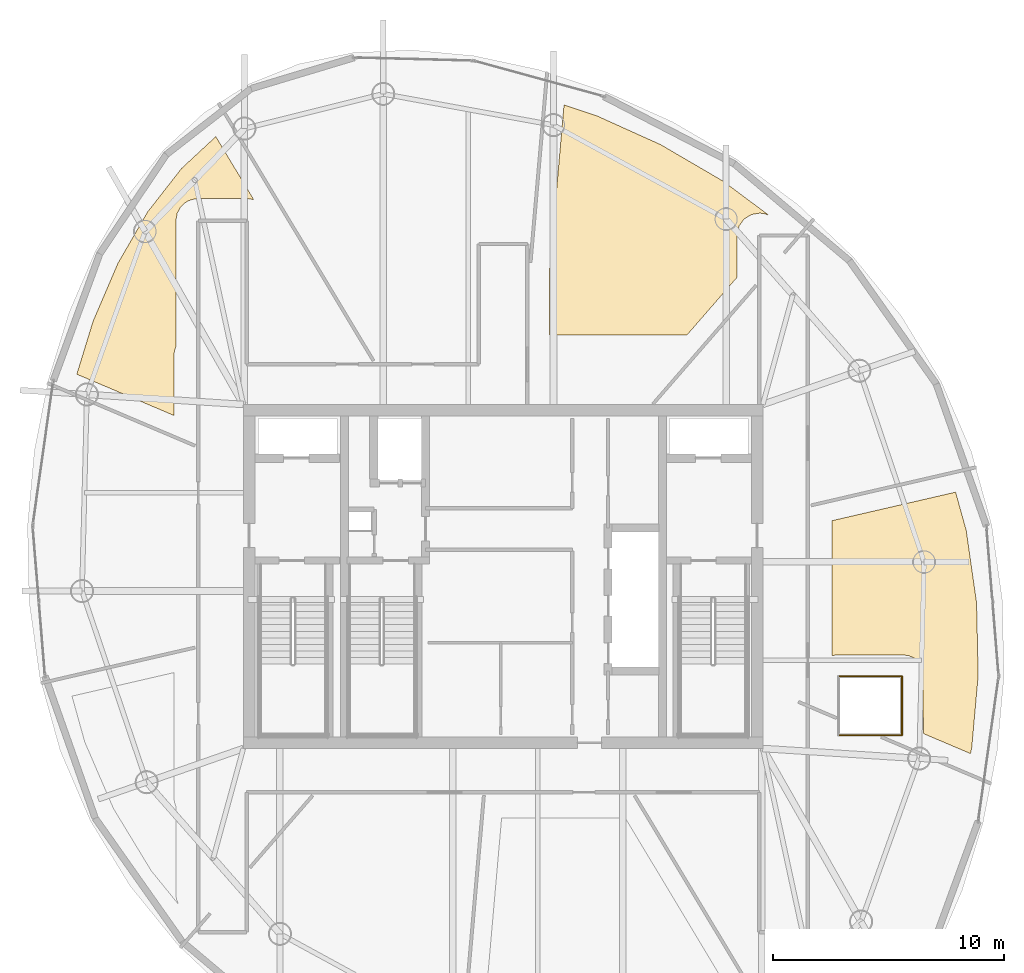
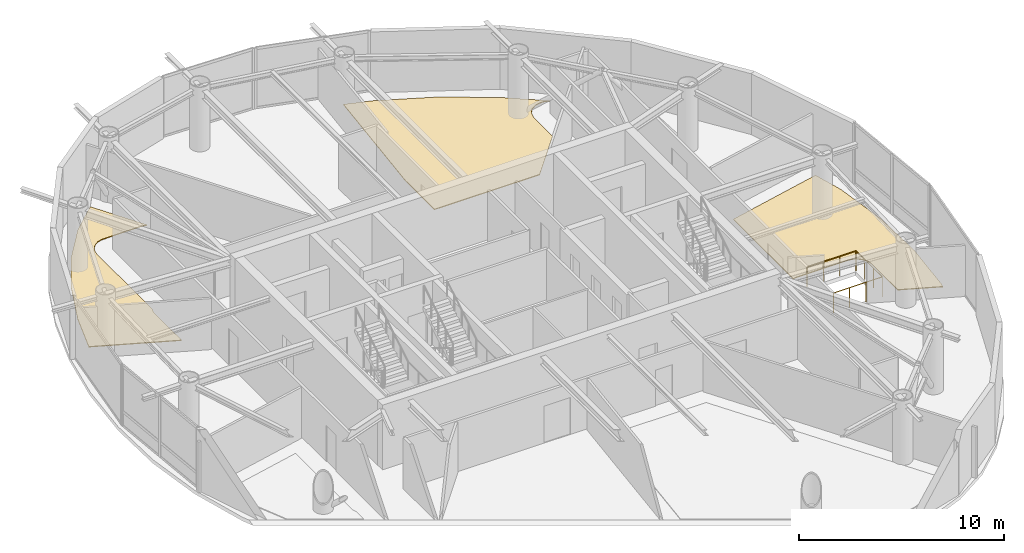
# One storey, part 20 of 20: 3 coverings, 3 railings.
"""IFC4 building model written with IfcOpenShell, lengths in metres."""

from ifc_helpers import new_model, si_unit, direction, frame, origin, origin_2d, place, context, subcontext, project, spatial, polyline, circle, outline, extrude, material, layer, layer_set, type_object, element, save


model = new_model("IFC4")

# Units and contexts
model_context = context("Model", 3, precision=1e-05, world=origin(), true_north=direction((0.0, 1.0)))
body_context = subcontext(model_context, "Body", "Model", "MODEL_VIEW")
ifc_project = project(units=[si_unit("LENGTHUNIT", "METRE"), si_unit("AREAUNIT", "SQUARE_METRE"), si_unit("VOLUMEUNIT", "CUBIC_METRE"), si_unit("PLANEANGLEUNIT", "RADIAN"), si_unit("MASSUNIT", "GRAM", prefix="KILO")], contexts=[model_context])

# Site, building, storey
site_placement = place(None, origin())
site = spatial("IfcSite", under=ifc_project, at=site_placement, CompositionType="ELEMENT")
building_placement = place(site_placement, origin())
building = spatial("IfcBuilding", under=site, at=building_placement, Name="Bramvorn Convention Spire", CompositionType="ELEMENT")
storey_placement = place(building_placement, frame((0.0, 0.0, 284.39990234375)))
storey = spatial("IfcBuildingStorey", under=building, at=storey_placement, Name="L72", CompositionType="ELEMENT", Elevation=284.39990234375)

# Coverings
ifc_material_1 = material(Name="Calcium-Sulphate Raised Access Office Floor", Category="steel")
ifc_layer = layer(ifc_material_1, 0.044921875)
ifc_layer_set = layer_set([ifc_layer], Name="Calcium-Sulphate Raised Access Office Floor - FLR-RAISED-45")
covering_type = type_object("IfcCoveringType", Name="FLR-RAISED-45", PredefinedType="FLOORING", material=ifc_layer_set)
covering_1_placement = place(storey_placement, origin())
element("IfcCovering", 1, at=covering_1_placement, inside=storey, type_object=covering_type, Name="L72 Design Office Studio B 2 raised floor finish", PredefinedType="FLOORING", context=body_context, shape_type="SweptSolid", body=[
    extrude(outline(polyline([(42.05322265625, 45.954345703125), (40.64013671875, 46.423583984375), (40.02001953125, 39.3359375), (40.02001953125, 36.449951171875), (45.957763671875, 36.449951171875), (48.1298828125, 38.94873046875), (48.131103515625, 40.80908203125), (48.221923828125, 41.179931640625), (48.4404296875, 41.479248046875), (48.755126953125, 41.6748046875), (49.120361328125, 41.73779296875), (49.305419921875, 41.716064453125), (49.513916015625, 41.644287109375), (47.52001953125, 43.12841796875), (44.82568359375, 44.703125), (42.05322265625, 45.954345703125)])), origin(), (0.0, 0.0, 1.0), 0.045166015625),
])
covering_2_placement = place(storey_placement, origin())
element("IfcCovering", 2, at=covering_2_placement, inside=storey, type_object=covering_type, Name="L72 Client Meeting Pin-Up Room 2 4 raised floor finish", PredefinedType="FLOORING", context=body_context, shape_type="SweptSolid", body=[
    extrude(outline(polyline([(23.75, 32.97216796875), (23.75, 35.60009765625), (23.766357421875, 35.765869140625), (23.830078125, 35.95751953125), (23.830078125, 41.39990234375), (23.888916015625, 41.732421875), (24.017578125, 41.972900390625), (24.217529296875, 42.175537109375), (24.390625, 42.279296875), (24.65185546875, 42.3583984375), (26.89990234375, 42.3701171875), (27.20166015625, 42.321044921875), (25.56103515625, 45.051513671875), (24.075439453125, 43.671630859375), (22.6123046875, 41.7958984375), (21.32666015625, 39.5751953125), (20.2412109375, 37.04443359375), (19.541015625, 34.7587890625), (23.75, 32.97216796875)])), origin(), (0.0, 0.0, 1.0), 0.045166015625),
])
covering_3_placement = place(storey_placement, origin())
element("IfcCovering", 3, at=covering_3_placement, inside=storey, type_object=covering_type, Name="L72 Design Office Studio B 10 raised floor finish", PredefinedType="FLOORING", context=body_context, shape_type="SweptSolid", body=[
    extrude(outline(polyline([(52.449951171875, 22.60009765625), (55.35009765625, 22.60009765625), (55.5966796875, 22.5634765625), (55.822265625, 22.456787109375), (56.056640625, 22.22216796875), (56.163330078125, 21.99658203125), (56.19580078125, 21.833251953125), (56.199951171875, 19.197998046875), (58.24755859375, 18.328857421875), (58.300048828125, 18.5966796875), (58.577392578125, 21.705078125), (58.508056640625, 24.862548828125), (58.060546875, 27.9951171875), (57.60009765625, 29.652587890625), (52.25, 28.41748046875), (52.25, 22.5751953125), (52.449951171875, 22.60009765625)])), origin(), (0.0, 0.0, 1.0), 0.045166015625),
])

# Railings
ifc_material_2 = material(Name="Warm Bronze Perforated Metal & Glass Balustrade", Category="glass")
railing_type = type_object("IfcRailingType", Name="RL-POD-BALUSTRADE-1200", PredefinedType="BALUSTRADE", material=ifc_material_2)
railing_1_placement = place(storey_placement, frame((52.52001953125, 19.1201171875, 0.0)))
element("IfcRailing", 4, at=railing_1_placement, inside=storey, type_object=railing_type, Name="L72 Feature atrium void balustrade 1", PredefinedType="BALUSTRADE", context=body_context, shape_type="SweptSolid", body=[
    extrude(circle(Radius=0.02392578125, at=origin_2d()), frame((0.0, 0.0, 1.17578125), z_axis=(1.0, 0.0, 0.0), x_axis=(0.0, 1.0, 0.0)), (0.0, 0.0, 1.0), 2.760009765625),
    extrude(circle(Radius=0.02099609375, at=origin_2d()), origin(), (0.0, 0.0, 1.0), 1.15185546875),
    extrude(circle(Radius=0.02099609375, at=origin_2d()), frame((0.919921875, 0.0, 0.0)), (0.0, 0.0, 1.0), 1.15185546875),
    extrude(circle(Radius=0.02099609375, at=origin_2d()), frame((1.840087890625, 0.0, 0.0)), (0.0, 0.0, 1.0), 1.15185546875),
    extrude(circle(Radius=0.02099609375, at=origin_2d()), frame((2.760009765625, 0.0, 0.0)), (0.0, 0.0, 1.0), 1.15185546875),
])
railing_2_placement = place(storey_placement, frame((55.280029296875, 19.1201171875, 0.0)))
element("IfcRailing", 5, at=railing_2_placement, inside=storey, type_object=railing_type, Name="L72 Feature atrium void balustrade 2", PredefinedType="BALUSTRADE", context=body_context, shape_type="SweptSolid", body=[
    extrude(circle(Radius=0.02392578125, at=origin_2d()), frame((0.0, 0.0, 1.17578125), z_axis=(0.0, 1.0, 0.0), x_axis=(-1.0, 0.0, 0.0)), (0.0, 0.0, 1.0), 2.559814453125),
    extrude(circle(Radius=0.02099609375, at=origin_2d()), origin(), (0.0, 0.0, 1.0), 1.15185546875),
    extrude(circle(Radius=0.02099609375, at=origin_2d()), frame((0.0, 0.853271484375, 0.0)), (0.0, 0.0, 1.0), 1.15185546875),
    extrude(circle(Radius=0.02099609375, at=origin_2d()), frame((0.0, 1.70654296875, 0.0)), (0.0, 0.0, 1.0), 1.15185546875),
    extrude(circle(Radius=0.02099609375, at=origin_2d()), frame((0.0, 2.559814453125, 0.0)), (0.0, 0.0, 1.0), 1.15185546875),
])
railing_3_placement = place(storey_placement, frame((55.280029296875, 21.679931640625, 0.0)))
element("IfcRailing", 6, at=railing_3_placement, inside=storey, type_object=railing_type, Name="L72 Feature atrium void balustrade 3", PredefinedType="BALUSTRADE", context=body_context, shape_type="SweptSolid", body=[
    extrude(circle(Radius=0.02392578125, at=origin_2d()), frame((0.0, 0.0, 1.17578125), z_axis=(-1.0, 0.0, 0.0), x_axis=(0.0, -1.0, 0.0)), (0.0, 0.0, 1.0), 2.760009765625),
    extrude(circle(Radius=0.02099609375, at=origin_2d()), origin(), (0.0, 0.0, 1.0), 1.15185546875),
    extrude(circle(Radius=0.02099609375, at=origin_2d()), frame((-0.919921875, 0.0, 0.0)), (0.0, 0.0, 1.0), 1.15185546875),
    extrude(circle(Radius=0.02099609375, at=origin_2d()), frame((-1.840087890625, 0.0, 0.0)), (0.0, 0.0, 1.0), 1.15185546875),
    extrude(circle(Radius=0.02099609375, at=origin_2d()), frame((-2.760009765625, 0.0, 0.0)), (0.0, 0.0, 1.0), 1.15185546875),
])

save(model, "model.ifc")
